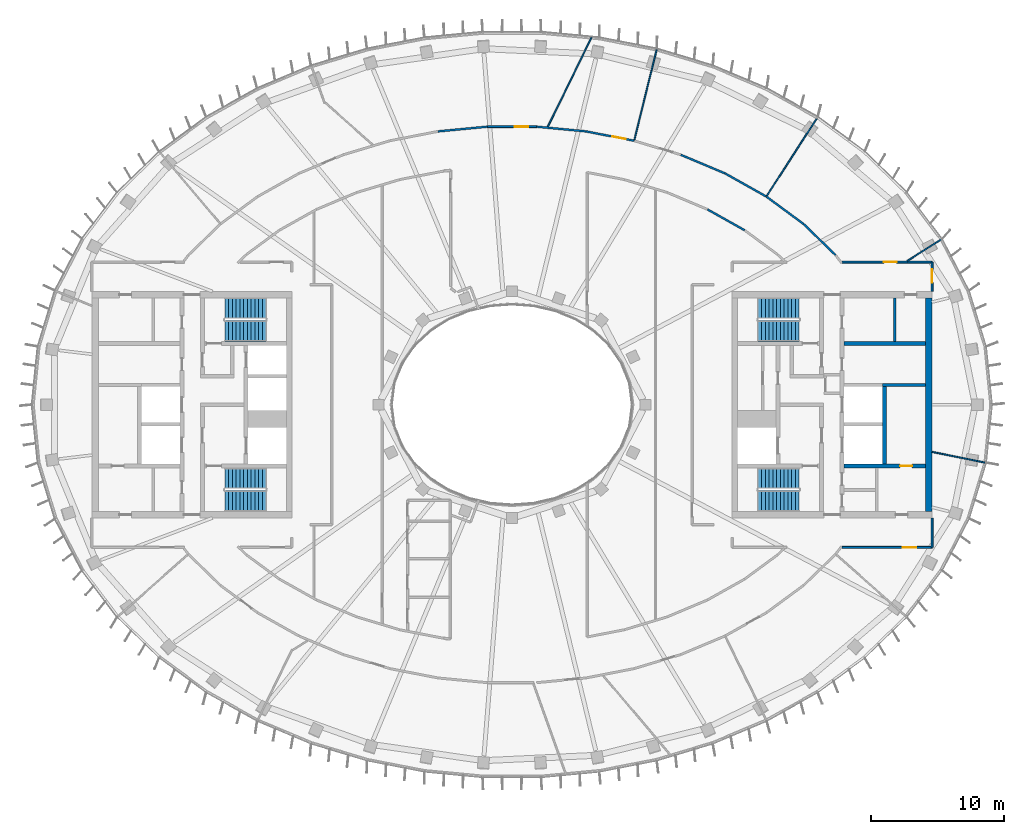
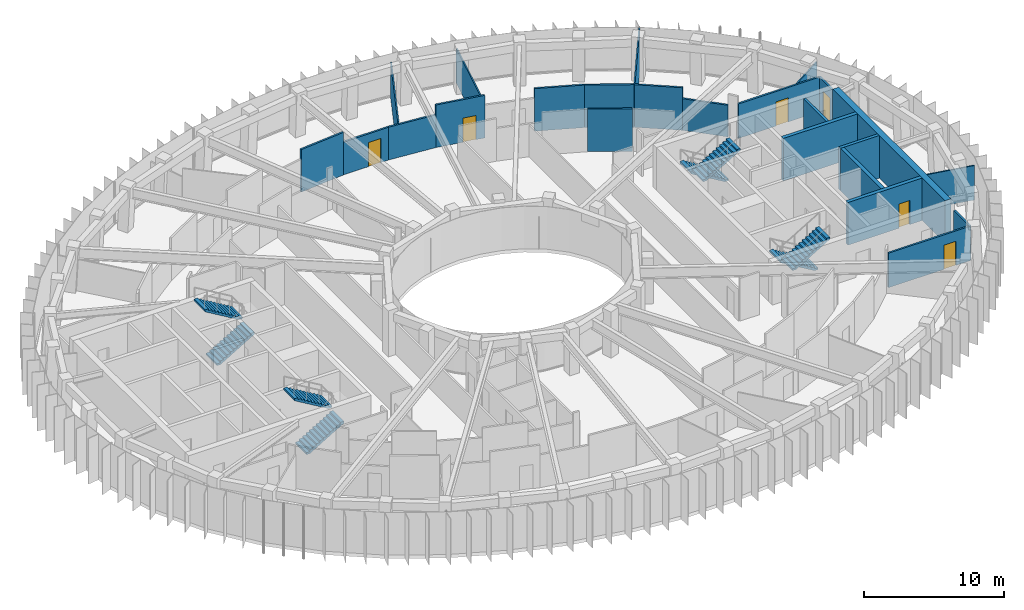
# One storey, part 7 of 13: 24 walls, 8 stair flights, 6 doors, 6 openings, 4 elements without a shape of their own.
"""IFC4 building model written with IfcOpenShell, lengths in metres."""

from ifc_helpers import new_model, si_unit, direction, frame, frame_2d, origin, place, context, subcontext, project, spatial, polyline, rectangle, outline, extrude, material, layer, layer_set, type_object, element, fill, aggregate, save


model = new_model("IFC4")

# Units and contexts
model_context = context("Model", 3, precision=1e-05, world=origin(), true_north=direction((0.0, 1.0)))
body_context = subcontext(model_context, "Body", "Model", "MODEL_VIEW")
ifc_project = project(units=[si_unit("LENGTHUNIT", "METRE"), si_unit("AREAUNIT", "SQUARE_METRE"), si_unit("VOLUMEUNIT", "CUBIC_METRE"), si_unit("PLANEANGLEUNIT", "RADIAN"), si_unit("MASSUNIT", "GRAM", prefix="KILO")], contexts=[model_context])

# Site, building, storey
site_placement = place(None, origin())
site = spatial("IfcSite", under=ifc_project, at=site_placement, CompositionType="ELEMENT")
building_placement = place(site_placement, origin())
building = spatial("IfcBuilding", under=site, at=building_placement, Name="Noorbagh Ring Tower", CompositionType="ELEMENT")
storey_placement = place(building_placement, frame((0.0, 0.0, 327.0)))
storey = spatial("IfcBuildingStorey", under=building, at=storey_placement, Name="L71", CompositionType="ELEMENT", Elevation=327.0)

# Walls
ifc_material_1 = material(Name="Gypsum board on steel studs", Category="steel")
ifc_layer_1 = layer(ifc_material_1, 0.199951171875)
ifc_layer_set_1 = layer_set([ifc_layer_1], Name="Gypsum board on steel studs")
wall_type_1 = type_object("IfcWallType", Name="CORE-PARTITION-200", PredefinedType="PARTITIONING", material=ifc_layer_set_1)
wall_1_placement = place(storey_placement, frame((28.699951171875, 4.75, 0.0), z_axis=(0.0, 0.0, 1.0), x_axis=(0.0, 1.0, 0.0)))
element("IfcWall", 1, at=wall_1_placement, inside=storey, type_object=wall_type_1, Name="Core partition E", PredefinedType="PARTITIONING", context=body_context, shape_type="SweptSolid", body=[
    extrude(rectangle(XDim=3.25, YDim=0.199951171875, at=frame_2d((1.625, 0.0))), origin(), (0.0, 0.0, 1.0), 3.699951171875),
])
ifc_material_2 = material(Name="Concrete C50/60", Category="concrete")
ifc_layer_2 = layer(ifc_material_2, 0.25)
ifc_layer_set_2 = layer_set([ifc_layer_2], Name="Concrete C50/60")
wall_type_2 = type_object("IfcWallType", Name="CORE-WALL-250-C50-60-EI120", PredefinedType="SHEAR", material=ifc_layer_set_2)
wall_2_placement = place(storey_placement, frame((27.800048828125, 1.47509765625, 0.0), z_axis=(0.0, 0.0, 1.0), x_axis=(1.0, 0.0, 0.0)))
element("IfcWall", 2, at=wall_2_placement, inside=storey, type_object=wall_type_2, Name="Core wall E", PredefinedType="SHEAR", context=body_context, shape_type="SweptSolid", body=[
    extrude(rectangle(XDim=3.199951171875, YDim=0.25, at=frame_2d((1.60009765625, 0.0))), origin(), (0.0, 0.0, 1.0), 3.699951171875),
])
ifc_material_3 = material(Name="Concrete C50/60", Category="concrete")
ifc_layer_3 = layer(ifc_material_3, 0.300048828125)
ifc_layer_set_3 = layer_set([ifc_layer_3], Name="Concrete C50/60")
wall_type_3 = type_object("IfcWallType", Name="CORE-WALL-300-C50-60-EI120", PredefinedType="SHEAR", material=ifc_layer_set_3)
wall_3_placement = place(storey_placement, frame((27.949951171875, -4.449951171875, 0.0), z_axis=(0.0, 0.0, 1.0), x_axis=(0.0, 1.0, 0.0)))
element("IfcWall", 3, at=wall_3_placement, inside=storey, type_object=wall_type_3, Name="Core wall E", PredefinedType="SHEAR", context=body_context, shape_type="SweptSolid", body=[
    extrude(rectangle(XDim=5.800048828125, YDim=0.300048828125, at=frame_2d((2.89990234375, 0.0))), origin(), (0.0, 0.0, 1.0), 3.699951171875),
])
ifc_material_4 = material(Name="Concrete C50/60", Category="concrete")
ifc_layer_4 = layer(ifc_material_4, 0.300048828125)
ifc_layer_set_4 = layer_set([ifc_layer_4], Name="Concrete C50/60")
wall_type_4 = type_object("IfcWallType", Name="CORE-WALL-300-C50-60-EI240", PredefinedType="SHEAR", material=ifc_layer_set_4)
wall_4_placement = place(storey_placement, frame((24.89990234375, 4.60009765625, 0.0), z_axis=(0.0, 0.0, 1.0), x_axis=(1.0, 0.0, 0.0)))
element("IfcWall", 4, at=wall_4_placement, inside=storey, type_object=wall_type_4, Name="Core wall E", PredefinedType="SHEAR", context=body_context, shape_type="SweptSolid", body=[
    extrude(rectangle(XDim=6.10009765625, YDim=0.300048828125, at=frame_2d((3.050048828125, 0.0))), origin(), (0.0, 0.0, 1.0), 3.699951171875),
])

# Wall, opening, door
wall_5_placement = place(storey_placement, frame((24.89990234375, -4.60009765625, 0.0), z_axis=(0.0, 0.0, 1.0), x_axis=(1.0, 0.0, 0.0)))
wall_5 = element("IfcWall", 5, at=wall_5_placement, inside=storey, type_object=wall_type_4, Name="Core wall E", PredefinedType="SHEAR", context=body_context, shape_type="SweptSolid", body=[
    extrude(rectangle(XDim=6.10009765625, YDim=0.300048828125, at=frame_2d((3.050048828125, 0.0))), origin(), (0.0, 0.0, 1.0), 3.699951171875),
])
opening_1_placement = place(wall_5_placement, frame((4.199951171875, 0.0, 0.0)))
opening_1 = element("IfcOpeningElement", 6, at=opening_1_placement, cuts=wall_5, Name="Opening L71-CE19", PredefinedType="OPENING", context=body_context, shape_type="SweptSolid", body=[
    extrude(rectangle(XDim=0.89990234375, YDim=2.10009765625, at=frame_2d((0.449951171875, 1.050048828125))), frame((0.0, 0.16015625, 0.0), z_axis=(0.0, -1.0, 0.0), x_axis=(1.0, 0.0, 0.0)), (0.0, 0.0, 1.0), 0.320068359375),
])
ifc_material_5 = material(Name="Steel door leaf", Category="steel")
door_type_1 = type_object("IfcDoorType", Name="CORE-DOOR-DROOM", OperationType="SINGLE_SWING_LEFT", PredefinedType="DOOR", material=ifc_material_5)
door_1_placement = place(opening_1_placement, origin())
door_1 = element("IfcDoor", 7, at=door_1_placement, inside=storey, type_object=door_type_1, Name="Core room door L71-CE19", OperationType="SINGLE_SWING_LEFT", OverallHeight=2.10009765625, OverallWidth=0.89990234375, PredefinedType="DOOR", context=body_context, shape_type="SweptSolid", body=[
    extrude(rectangle(XDim=0.89990234375, YDim=2.10009765625, at=frame_2d((0.449951171875, 1.050048828125))), frame((0.0, 0.02490234375, 0.0), z_axis=(0.0, -1.0, 0.0), x_axis=(1.0, 0.0, 0.0)), (0.0, 0.0, 1.0), 0.050048828125),
])
fill(opening_1, door_1)

# Walls
ifc_material_6 = material(Name="Concrete C50/60", Category="concrete")
ifc_layer_5 = layer(ifc_material_6, 0.5)
ifc_layer_set_5 = layer_set([ifc_layer_5], Name="Concrete C50/60")
wall_type_5 = type_object("IfcWallType", Name="CORE-WALL-500-C50-60-EI240", PredefinedType="SHEAR", material=ifc_layer_set_5)
wall_6_placement = place(storey_placement, frame((31.25, -8.0, 0.0), z_axis=(0.0, 0.0, 1.0), x_axis=(0.0, 1.0, 0.0)))
element("IfcWall", 8, at=wall_6_placement, inside=storey, type_object=wall_type_5, Name="Core wall E", PredefinedType="SHEAR", context=body_context, shape_type="SweptSolid", body=[
    extrude(rectangle(XDim=16.0, YDim=0.5, at=frame_2d((8.0, 0.0))), origin(), (0.0, 0.0, 1.0), 3.699951171875),
])
ifc_material_7 = material(Name="Gypsum board on steel studs", Category="steel")
ifc_layer_6 = layer(ifc_material_7, 0.14990234375)
ifc_layer_set_6 = layer_set([ifc_layer_6], Name="Gypsum board on steel studs")
wall_type_6 = type_object("IfcWallType", Name="CORRIDOR PARTITION 150 EI 30", PredefinedType="PARTITIONING", material=ifc_layer_set_6)
wall_7_placement = place(storey_placement, frame((-5.54296875, 20.49609375, 0.0), z_axis=(0.0, 0.0, 1.0), x_axis=(0.995480948187, 0.09496147533, 0.0)))
element("IfcWall", 9, at=wall_7_placement, inside=storey, type_object=wall_type_6, Name="L71/wall/P55", PredefinedType="PARTITIONING", context=body_context, shape_type="SweptSolid", body=[
    extrude(rectangle(XDim=3.704833984375, YDim=0.14990234375, at=frame_2d((1.8525390625, 0.0))), origin(), (0.0, 0.0, 1.0), 3.699951171875),
])

# Wall, opening, door
wall_8_placement = place(storey_placement, frame((-1.85498046875, 20.847900390625, 0.0), z_axis=(0.0, 0.0, 1.0), x_axis=(1.0, 0.0, 0.0)))
wall_8 = element("IfcWall", 10, at=wall_8_placement, inside=storey, type_object=wall_type_6, Name="L71/wall/P66", PredefinedType="PARTITIONING", context=body_context, shape_type="SweptSolid", body=[
    extrude(rectangle(XDim=3.7099609375, YDim=0.14990234375, at=frame_2d((1.85498046875, 0.0))), origin(), (0.0, 0.0, 1.0), 2.85009765625),
])
opening_2_placement = place(wall_8_placement, frame((2.06005859375, 0.0, 0.0)))
opening_2 = element("IfcOpeningElement", 11, at=opening_2_placement, cuts=wall_8, Name="Opening D1", PredefinedType="OPENING", context=body_context, shape_type="SweptSolid", body=[
    extrude(rectangle(XDim=1.0, YDim=2.10009765625, at=frame_2d((0.5, 1.050048828125))), frame((0.0, 0.0849609375, 0.0), z_axis=(0.0, -1.0, 0.0), x_axis=(1.0, 0.0, 0.0)), (0.0, 0.0, 1.0), 0.169921875),
])
ifc_material_8 = material(Name="Timber, painted", Category="wood")
door_type_2 = type_object("IfcDoorType", Name="DOOR 1000 X 2100 FD30", OperationType="SINGLE_SWING_LEFT", PredefinedType="DOOR", material=ifc_material_8)
door_2_placement = place(opening_2_placement, origin())
door_2 = element("IfcDoor", 12, at=door_2_placement, inside=storey, type_object=door_type_2, Name="L71-D11", OperationType="SINGLE_SWING_LEFT", OverallHeight=2.10009765625, OverallWidth=1.0, PredefinedType="DOOR", context=body_context, shape_type="SweptSolid", body=[
    extrude(rectangle(XDim=1.0, YDim=2.10009765625, at=frame_2d((0.5, 1.050048828125))), frame((0.0, 0.02490234375, 0.0), z_axis=(0.0, -1.0, 0.0), x_axis=(1.0, 0.0, 0.0)), (0.0, 0.0, 1.0), 0.050048828125),
])
fill(opening_2, door_2)

# Wall
wall_9_placement = place(storey_placement, frame((1.85498046875, 20.847900390625, 0.0), z_axis=(0.0, 0.0, 1.0), x_axis=(0.995480948187, -0.09496147533, 0.0)))
element("IfcWall", 13, at=wall_9_placement, inside=storey, type_object=wall_type_6, Name="L71/wall/P69", PredefinedType="PARTITIONING", context=body_context, shape_type="SweptSolid", body=[
    extrude(rectangle(XDim=3.704833984375, YDim=0.14990234375, at=frame_2d((1.8525390625, 0.0))), origin(), (0.0, 0.0, 1.0), 2.85009765625),
])

# Wall, opening, door
wall_10_placement = place(storey_placement, frame((5.54296875, 20.49609375, 0.0), z_axis=(0.0, 0.0, 1.0), x_axis=(0.981633657006, -0.19077568879, 0.0)))
wall_10 = element("IfcWall", 14, at=wall_10_placement, inside=storey, type_object=wall_type_6, Name="L71/wall/P72", PredefinedType="PARTITIONING", context=body_context, shape_type="SweptSolid", body=[
    extrude(rectangle(XDim=3.685546875, YDim=0.14990234375, at=frame_2d((1.8427734375, 0.0))), origin(), (0.0, 0.0, 1.0), 3.699951171875),
])
opening_3_placement = place(wall_10_placement, frame((2.03564453125, 0.0, 0.0)))
opening_3 = element("IfcOpeningElement", 15, at=opening_3_placement, cuts=wall_10, Name="Opening D1", PredefinedType="OPENING", context=body_context, shape_type="SweptSolid", body=[
    extrude(rectangle(XDim=1.0, YDim=2.10009765625, at=frame_2d((0.5, 1.050048828125))), frame((0.0, 0.0849609375, 0.0), z_axis=(0.0, -1.0, 0.0), x_axis=(1.0, 0.0, 0.0)), (0.0, 0.0, 1.0), 0.169921875),
])
door_3_placement = place(opening_3_placement, origin())
door_3 = element("IfcDoor", 16, at=door_3_placement, inside=storey, type_object=door_type_2, Name="L71-D13", OperationType="SINGLE_SWING_LEFT", OverallHeight=2.10009765625, OverallWidth=1.0, PredefinedType="DOOR", context=body_context, shape_type="SweptSolid", body=[
    extrude(rectangle(XDim=1.0, YDim=2.10009765625, at=frame_2d((0.5, 1.050048828125))), frame((0.0, 0.02490234375, 0.0), z_axis=(0.0, -1.0, 0.0), x_axis=(1.0, 0.0, 0.0)), (0.0, 0.0, 1.0), 0.050048828125),
])
fill(opening_3, door_3)

# Walls
wall_11_placement = place(storey_placement, frame((12.658935546875, 18.739990234375, 0.0), z_axis=(0.0, 0.0, 1.0), x_axis=(0.921887377252, -0.387457950833, 0.0)))
element("IfcWall", 17, at=wall_11_placement, inside=storey, type_object=wall_type_6, Name="L71/wall/P87", PredefinedType="PARTITIONING", context=body_context, shape_type="SweptSolid", body=[
    extrude(rectangle(XDim=3.60791015625, YDim=0.14990234375, at=frame_2d((1.803955078125, 0.0))), origin(), (0.0, 0.0, 1.0), 3.699951171875),
])
wall_12_placement = place(storey_placement, frame((14.6650390625, 14.64208984375, 0.0), z_axis=(0.0, 0.0, 1.0), x_axis=(0.872072095629, -0.489377420837, 0.0)))
element("IfcWall", 18, at=wall_12_placement, inside=storey, type_object=wall_type_6, Name="L71/wall/P92", PredefinedType="PARTITIONING", context=body_context, shape_type="SweptSolid", body=[
    extrude(rectangle(XDim=3.187744140625, YDim=0.14990234375, at=frame_2d((1.59375, 0.0))), origin(), (0.0, 0.0, 1.0), 3.699951171875),
])
wall_13_placement = place(storey_placement, frame((15.985107421875, 17.342041015625, 0.0), z_axis=(0.0, 0.0, 1.0), x_axis=(0.871912158543, -0.489662320161, 0.0)))
element("IfcWall", 19, at=wall_13_placement, inside=storey, type_object=wall_type_6, Name="L71/wall/P93", PredefinedType="PARTITIONING", context=body_context, shape_type="SweptSolid", body=[
    extrude(rectangle(XDim=3.52294921875, YDim=0.14990234375, at=frame_2d((1.761474609375, 0.0))), origin(), (0.0, 0.0, 1.0), 3.699951171875),
])
wall_14_placement = place(storey_placement, frame((19.091064453125, 15.594970703125, 0.0), z_axis=(0.0, 0.0, 1.0), x_axis=(0.80526257364, -0.592918364949, 0.0)))
element("IfcWall", 20, at=wall_14_placement, inside=storey, type_object=wall_type_6, Name="L71/wall/P104", PredefinedType="PARTITIONING", context=body_context, shape_type="SweptSolid", body=[
    extrude(rectangle(XDim=3.4423828125, YDim=0.14990234375, at=frame_2d((1.72119140625, 0.0))), origin(), (0.0, 0.0, 1.0), 3.699951171875),
])
wall_15_placement = place(storey_placement, frame((21.863037109375, 13.553955078125, 0.0), z_axis=(0.0, 0.0, 1.0), x_axis=(0.71712899883, -0.696940455876, 0.0)))
element("IfcWall", 21, at=wall_15_placement, inside=storey, type_object=wall_type_6, Name="L71/wall/P108", PredefinedType="PARTITIONING", context=body_context, shape_type="SweptSolid", body=[
    extrude(rectangle(XDim=3.36181640625, YDim=0.14990234375, at=frame_2d((1.680908203125, 0.0))), origin(), (0.0, 0.0, 1.0), 2.75),
])

# Wall, opening, door
wall_16_placement = place(storey_placement, frame((24.7548828125, -10.699951171875, 0.0), z_axis=(0.0, 0.0, 1.0), x_axis=(1.0, 0.0, 0.0)))
wall_16 = element("IfcWall", 22, at=wall_16_placement, inside=storey, type_object=wall_type_6, Name="L71/wall/P112", PredefinedType="PARTITIONING", context=body_context, shape_type="SweptSolid", body=[
    extrude(rectangle(XDim=6.7451171875, YDim=0.14990234375, at=frame_2d((3.37255859375, 0.0))), origin(), (0.0, 0.0, 1.0), 3.0),
])
opening_4_placement = place(wall_16_placement, frame((4.555908203125, 0.0, 0.0)))
opening_4 = element("IfcOpeningElement", 23, at=opening_4_placement, cuts=wall_16, Name="Opening D1", PredefinedType="OPENING", context=body_context, shape_type="SweptSolid", body=[
    extrude(rectangle(XDim=1.0, YDim=2.10009765625, at=frame_2d((0.5, 1.050048828125))), frame((0.0, 0.0849609375, 0.0), z_axis=(0.0, -1.0, 0.0), x_axis=(1.0, 0.0, 0.0)), (0.0, 0.0, 1.0), 0.169921875),
])
door_4_placement = place(opening_4_placement, origin())
door_4 = element("IfcDoor", 24, at=door_4_placement, inside=storey, type_object=door_type_2, Name="L71-D18", OperationType="SINGLE_SWING_RIGHT", OverallHeight=2.10009765625, OverallWidth=1.0, PredefinedType="DOOR", context=body_context, shape_type="SweptSolid", body=[
    extrude(rectangle(XDim=1.0, YDim=2.10009765625, at=frame_2d((0.5, 1.050048828125))), frame((0.0, 0.02490234375, 0.0), z_axis=(0.0, -1.0, 0.0), x_axis=(1.0, 0.0, 0.0)), (0.0, 0.0, 1.0), 0.050048828125),
])
fill(opening_4, door_4)

wall_17_placement = place(storey_placement, frame((24.7548828125, 10.699951171875, 0.0), z_axis=(0.0, 0.0, 1.0), x_axis=(1.0, 0.0, 0.0)))
wall_17 = element("IfcWall", 25, at=wall_17_placement, inside=storey, type_object=wall_type_6, Name="L71/wall/P113", PredefinedType="PARTITIONING", context=body_context, shape_type="SweptSolid", body=[
    extrude(rectangle(XDim=6.7451171875, YDim=0.14990234375, at=frame_2d((3.37255859375, 0.0))), origin(), (0.0, 0.0, 1.0), 3.0),
])
opening_5_placement = place(wall_17_placement, frame((3.115966796875, 0.0, 0.0)))
opening_5 = element("IfcOpeningElement", 26, at=opening_5_placement, cuts=wall_17, Name="Opening D1", PredefinedType="OPENING", context=body_context, shape_type="SweptSolid", body=[
    extrude(rectangle(XDim=1.0, YDim=2.10009765625, at=frame_2d((0.5, 1.050048828125))), frame((0.0, 0.0849609375, 0.0), z_axis=(0.0, -1.0, 0.0), x_axis=(1.0, 0.0, 0.0)), (0.0, 0.0, 1.0), 0.169921875),
])
door_5_placement = place(opening_5_placement, origin())
door_5 = element("IfcDoor", 27, at=door_5_placement, inside=storey, type_object=door_type_2, Name="L71-D17", OperationType="SINGLE_SWING_LEFT", OverallHeight=2.10009765625, OverallWidth=1.0, PredefinedType="DOOR", context=body_context, shape_type="SweptSolid", body=[
    extrude(rectangle(XDim=1.0, YDim=2.10009765625, at=frame_2d((0.5, 1.050048828125))), frame((0.0, 0.02490234375, 0.0), z_axis=(0.0, -1.0, 0.0), x_axis=(1.0, 0.0, 0.0)), (0.0, 0.0, 1.0), 0.050048828125),
])
fill(opening_5, door_5)

# Wall
wall_18_placement = place(storey_placement, frame((31.5, -10.699951171875, 0.0), z_axis=(0.0, 0.0, 1.0), x_axis=(0.0, 1.0, 0.0)))
element("IfcWall", 28, at=wall_18_placement, inside=storey, type_object=wall_type_6, Name="L71/wall/P115", PredefinedType="PARTITIONING", context=body_context, shape_type="SweptSolid", body=[
    extrude(rectangle(XDim=2.199951171875, YDim=0.14990234375, at=frame_2d((1.10009765625, 0.0))), origin(), (0.0, 0.0, 1.0), 3.0),
])

# Wall, opening, door
wall_19_placement = place(storey_placement, frame((31.5, 8.5, 0.0), z_axis=(0.0, 0.0, 1.0), x_axis=(0.0, 1.0, 0.0)))
wall_19 = element("IfcWall", 29, at=wall_19_placement, inside=storey, type_object=wall_type_6, Name="L71/wall/P117", PredefinedType="PARTITIONING", context=body_context, shape_type="SweptSolid", body=[
    extrude(rectangle(XDim=2.199951171875, YDim=0.14990234375, at=frame_2d((1.10009765625, 0.0))), origin(), (0.0, 0.0, 1.0), 3.0),
])
opening_6_placement = place(wall_19_placement, frame((0.64990234375, 0.0, 0.0)))
opening_6 = element("IfcOpeningElement", 30, at=opening_6_placement, cuts=wall_19, Name="Opening D1", PredefinedType="OPENING", context=body_context, shape_type="SweptSolid", body=[
    extrude(rectangle(XDim=1.0, YDim=2.10009765625, at=frame_2d((0.5, 1.050048828125))), frame((0.0, 0.0849609375, 0.0), z_axis=(0.0, -1.0, 0.0), x_axis=(1.0, 0.0, 0.0)), (0.0, 0.0, 1.0), 0.169921875),
])
door_6_placement = place(opening_6_placement, origin())
door_6 = element("IfcDoor", 31, at=door_6_placement, inside=storey, type_object=door_type_2, Name="L71-D19", OperationType="SINGLE_SWING_LEFT", OverallHeight=2.10009765625, OverallWidth=1.0, PredefinedType="DOOR", context=body_context, shape_type="SweptSolid", body=[
    extrude(rectangle(XDim=1.0, YDim=2.10009765625, at=frame_2d((0.5, 1.050048828125))), frame((0.0, 0.02490234375, 0.0), z_axis=(0.0, -1.0, 0.0), x_axis=(1.0, 0.0, 0.0)), (0.0, 0.0, 1.0), 0.050048828125),
])
fill(opening_6, door_6)

# Walls
ifc_material_9 = material(Name="Gypsum board on steel studs", Category="steel")
ifc_layer_7 = layer(ifc_material_9, 0.10009765625)
ifc_layer_set_7 = layer_set([ifc_layer_7], Name="Gypsum board on steel studs")
wall_type_7 = type_object("IfcWallType", Name="PARTITION 100 GYPSUM", PredefinedType="PARTITIONING", material=ifc_layer_set_7)
wall_20_placement = place(storey_placement, frame((2.68505859375, 20.843994140625, 0.0), z_axis=(0.0, 0.0, 1.0), x_axis=(0.439240689302, 0.898369421152, 0.0)))
element("IfcWall", 32, at=wall_20_placement, inside=storey, type_object=wall_type_7, Name="L71/wall/P70", PredefinedType="PARTITIONING", context=body_context, shape_type="SweptSolid", body=[
    extrude(rectangle(XDim=7.451416015625, YDim=0.10009765625, at=frame_2d((3.7255859375, 0.0))), origin(), (0.0, 0.0, 1.0), 3.0),
])
wall_21_placement = place(storey_placement, frame((9.162109375, 19.797119140625, 0.0), z_axis=(0.0, 0.0, 1.0), x_axis=(0.239692684434, 0.970848812652, 0.0)))
element("IfcWall", 33, at=wall_21_placement, inside=storey, type_object=wall_type_7, Name="L71/wall/P81", PredefinedType="PARTITIONING", context=body_context, shape_type="SweptSolid", body=[
    extrude(rectangle(XDim=7.054443359375, YDim=0.10009765625, at=frame_2d((3.52734375, 0.0))), origin(), (0.0, 0.0, 1.0), 3.0),
])
wall_22_placement = place(storey_placement, frame((19.076904296875, 15.610107421875, 0.0), z_axis=(0.0, 0.0, 1.0), x_axis=(0.54223713958, 0.840225496197, 0.0)))
element("IfcWall", 34, at=wall_22_placement, inside=storey, type_object=wall_type_7, Name="L71/wall/P103", PredefinedType="PARTITIONING", context=body_context, shape_type="SweptSolid", body=[
    extrude(rectangle(XDim=7.059814453125, YDim=0.10009765625, at=frame_2d((3.52978515625, 0.0))), origin(), (0.0, 0.0, 1.0), 3.699951171875),
])
wall_23_placement = place(storey_placement, frame((29.636962890625, 10.777099609375, 0.0), z_axis=(0.0, 0.0, 1.0), x_axis=(0.844810627195, 0.535065420467, 0.0)))
element("IfcWall", 35, at=wall_23_placement, inside=storey, type_object=wall_type_7, Name="L71/wall/P114", PredefinedType="PARTITIONING", context=body_context, shape_type="SweptSolid", body=[
    extrude(rectangle(XDim=3.0478515625, YDim=0.10009765625, at=frame_2d((1.52392578125, 0.0))), origin(), (0.0, 0.0, 1.0), 3.0),
])
wall_24_placement = place(storey_placement, frame((31.5, -3.5419921875, 0.0), z_axis=(0.0, 0.0, 1.0), x_axis=(0.980357474535, -0.197228857227, 0.0)))
element("IfcWall", 36, at=wall_24_placement, inside=storey, type_object=wall_type_7, Name="L71/wall/P116", PredefinedType="PARTITIONING", context=body_context, shape_type="SweptSolid", body=[
    extrude(rectangle(XDim=4.09228515625, YDim=0.10009765625, at=frame_2d((2.046142578125, 0.0))), origin(), (0.0, 0.0, 1.0), 3.0),
])

# Stair, stair flights
ifc_material_10 = material(Name="Concrete C40/50", Category="concrete")
stair_type = type_object("IfcStairType", Name="CORE-STAIR", PredefinedType="HALF_TURN_STAIR", material=ifc_material_10)
stair_1_placement = place(storey_placement, origin())
stair_1 = element("IfcStair", 37, at=stair_1_placement, inside=storey, type_object=stair_type, Name="L71 Exit stair ST1", PredefinedType="HALF_TURN_STAIR")
ifc_material_11 = material(Name="Concrete C40/50", Category="concrete")
stair_flight_type = type_object("IfcStairFlightType", Name="CORE-STAIR-FLIGHT", PredefinedType="STRAIGHT", material=ifc_material_11)
stair_flight_1_placement = place(storey_placement, frame((-21.530029296875, 5.52490234375, 0.0), z_axis=(0.0, 0.0, 1.0), x_axis=(1.0, 0.0, 0.0)))
stair_flight_1 = element("IfcStairFlight", 38, at=stair_flight_1_placement, type_object=stair_flight_type, Name="ST1 flight 1", NumberOfRisers=12, NumberOfTreads=11, PredefinedType="STRAIGHT", RiserHeight=0.166666667, TreadLength=0.28, context=body_context, shape_type="SweptSolid", body=[
    extrude(outline(polyline([(0.0, 0.0), (0.0, 0.166748046875), (0.280029296875, 0.166748046875), (0.280029296875, 0.333251953125), (0.56005859375, 0.333251953125), (0.56005859375, 0.5), (0.840087890625, 0.5), (0.840087890625, 0.666748046875), (1.1201171875, 0.666748046875), (1.1201171875, 0.833251953125), (1.39990234375, 0.833251953125), (1.39990234375, 1.0), (1.679931640625, 1.0), (1.679931640625, 1.166748046875), (1.9599609375, 1.166748046875), (1.9599609375, 1.333251953125), (2.239990234375, 1.333251953125), (2.239990234375, 1.5), (2.52001953125, 1.5), (2.52001953125, 1.666748046875), (2.800048828125, 1.666748046875), (2.800048828125, 1.833251953125), (3.080078125, 1.833251953125), (3.080078125, 2.0), (3.080078125, 1.658935546875), (0.29296875, 0.0), (0.0, 0.0)])), frame((0.0, 0.77490234375, 0.0), z_axis=(0.0, -1.0, 0.0), x_axis=(1.0, 0.0, 0.0)), (0.0, 0.0, 1.0), 1.550048828125),
])
stair_flight_2_placement = place(storey_placement, frame((-18.449951171875, 7.22509765625, 2.0), z_axis=(0.0, 0.0, 1.0), x_axis=(-1.0, 0.0, 0.0)))
stair_flight_2 = element("IfcStairFlight", 39, at=stair_flight_2_placement, type_object=stair_flight_type, Name="ST1 flight 2", NumberOfRisers=12, NumberOfTreads=11, PredefinedType="STRAIGHT", RiserHeight=0.166666667, TreadLength=0.28, context=body_context, shape_type="SweptSolid", body=[
    extrude(outline(polyline([(0.0, 0.0), (0.0, 0.166748046875), (0.280029296875, 0.166748046875), (0.280029296875, 0.333251953125), (0.56005859375, 0.333251953125), (0.56005859375, 0.5), (0.840087890625, 0.5), (0.840087890625, 0.666748046875), (1.1201171875, 0.666748046875), (1.1201171875, 0.833251953125), (1.39990234375, 0.833251953125), (1.39990234375, 1.0), (1.679931640625, 1.0), (1.679931640625, 1.166748046875), (1.9599609375, 1.166748046875), (1.9599609375, 1.333251953125), (2.239990234375, 1.333251953125), (2.239990234375, 1.5), (2.52001953125, 1.5), (2.52001953125, 1.666748046875), (2.800048828125, 1.666748046875), (2.800048828125, 1.833251953125), (3.080078125, 1.833251953125), (3.080078125, 2.0), (3.080078125, 1.658935546875), (0.29296875, 0.0), (0.0, 0.0)])), frame((0.0, 0.77490234375, 0.0), z_axis=(0.0, -1.0, 0.0), x_axis=(1.0, 0.0, 0.0)), (0.0, 0.0, 1.0), 1.550048828125),
])
aggregate(stair_1, [stair_flight_1, stair_flight_2])

stair_2_placement = place(storey_placement, origin())
stair_2 = element("IfcStair", 40, at=stair_2_placement, inside=storey, type_object=stair_type, Name="L71 Exit stair ST2", PredefinedType="HALF_TURN_STAIR")
stair_flight_3_placement = place(storey_placement, frame((-21.530029296875, -7.22509765625, 0.0), z_axis=(0.0, 0.0, 1.0), x_axis=(1.0, 0.0, 0.0)))
stair_flight_3 = element("IfcStairFlight", 41, at=stair_flight_3_placement, type_object=stair_flight_type, Name="ST2 flight 1", NumberOfRisers=12, NumberOfTreads=11, PredefinedType="STRAIGHT", RiserHeight=0.166666667, TreadLength=0.28, context=body_context, shape_type="SweptSolid", body=[
    extrude(outline(polyline([(0.0, 0.0), (0.0, 0.166748046875), (0.280029296875, 0.166748046875), (0.280029296875, 0.333251953125), (0.56005859375, 0.333251953125), (0.56005859375, 0.5), (0.840087890625, 0.5), (0.840087890625, 0.666748046875), (1.1201171875, 0.666748046875), (1.1201171875, 0.833251953125), (1.39990234375, 0.833251953125), (1.39990234375, 1.0), (1.679931640625, 1.0), (1.679931640625, 1.166748046875), (1.9599609375, 1.166748046875), (1.9599609375, 1.333251953125), (2.239990234375, 1.333251953125), (2.239990234375, 1.5), (2.52001953125, 1.5), (2.52001953125, 1.666748046875), (2.800048828125, 1.666748046875), (2.800048828125, 1.833251953125), (3.080078125, 1.833251953125), (3.080078125, 2.0), (3.080078125, 1.658935546875), (0.29296875, 0.0), (0.0, 0.0)])), frame((0.0, 0.77490234375, 0.0), z_axis=(0.0, -1.0, 0.0), x_axis=(1.0, 0.0, 0.0)), (0.0, 0.0, 1.0), 1.550048828125),
])
stair_flight_4_placement = place(storey_placement, frame((-18.449951171875, -5.52490234375, 2.0), z_axis=(0.0, 0.0, 1.0), x_axis=(-1.0, 0.0, 0.0)))
stair_flight_4 = element("IfcStairFlight", 42, at=stair_flight_4_placement, type_object=stair_flight_type, Name="ST2 flight 2", NumberOfRisers=12, NumberOfTreads=11, PredefinedType="STRAIGHT", RiserHeight=0.166666667, TreadLength=0.28, context=body_context, shape_type="SweptSolid", body=[
    extrude(outline(polyline([(0.0, 0.0), (0.0, 0.166748046875), (0.280029296875, 0.166748046875), (0.280029296875, 0.333251953125), (0.56005859375, 0.333251953125), (0.56005859375, 0.5), (0.840087890625, 0.5), (0.840087890625, 0.666748046875), (1.1201171875, 0.666748046875), (1.1201171875, 0.833251953125), (1.39990234375, 0.833251953125), (1.39990234375, 1.0), (1.679931640625, 1.0), (1.679931640625, 1.166748046875), (1.9599609375, 1.166748046875), (1.9599609375, 1.333251953125), (2.239990234375, 1.333251953125), (2.239990234375, 1.5), (2.52001953125, 1.5), (2.52001953125, 1.666748046875), (2.800048828125, 1.666748046875), (2.800048828125, 1.833251953125), (3.080078125, 1.833251953125), (3.080078125, 2.0), (3.080078125, 1.658935546875), (0.29296875, 0.0), (0.0, 0.0)])), frame((0.0, 0.77490234375, 0.0), z_axis=(0.0, -1.0, 0.0), x_axis=(1.0, 0.0, 0.0)), (0.0, 0.0, 1.0), 1.550048828125),
])
aggregate(stair_2, [stair_flight_3, stair_flight_4])

stair_3_placement = place(storey_placement, origin())
stair_3 = element("IfcStair", 43, at=stair_3_placement, inside=storey, type_object=stair_type, Name="L71 Exit stair ST3", PredefinedType="HALF_TURN_STAIR")
stair_flight_5_placement = place(storey_placement, frame((21.530029296875, 7.22509765625, 0.0), z_axis=(0.0, 0.0, 1.0), x_axis=(-1.0, 0.0, 0.0)))
stair_flight_5 = element("IfcStairFlight", 44, at=stair_flight_5_placement, type_object=stair_flight_type, Name="ST3 flight 1", NumberOfRisers=12, NumberOfTreads=11, PredefinedType="STRAIGHT", RiserHeight=0.166666667, TreadLength=0.28, context=body_context, shape_type="SweptSolid", body=[
    extrude(outline(polyline([(0.0, 0.0), (0.0, 0.166748046875), (0.280029296875, 0.166748046875), (0.280029296875, 0.333251953125), (0.56005859375, 0.333251953125), (0.56005859375, 0.5), (0.840087890625, 0.5), (0.840087890625, 0.666748046875), (1.1201171875, 0.666748046875), (1.1201171875, 0.833251953125), (1.39990234375, 0.833251953125), (1.39990234375, 1.0), (1.679931640625, 1.0), (1.679931640625, 1.166748046875), (1.9599609375, 1.166748046875), (1.9599609375, 1.333251953125), (2.239990234375, 1.333251953125), (2.239990234375, 1.5), (2.52001953125, 1.5), (2.52001953125, 1.666748046875), (2.800048828125, 1.666748046875), (2.800048828125, 1.833251953125), (3.080078125, 1.833251953125), (3.080078125, 2.0), (3.080078125, 1.658935546875), (0.29296875, 0.0), (0.0, 0.0)])), frame((0.0, 0.77490234375, 0.0), z_axis=(0.0, -1.0, 0.0), x_axis=(1.0, 0.0, 0.0)), (0.0, 0.0, 1.0), 1.550048828125),
])
stair_flight_6_placement = place(storey_placement, frame((18.449951171875, 5.52490234375, 2.0), z_axis=(0.0, 0.0, 1.0), x_axis=(1.0, 0.0, 0.0)))
stair_flight_6 = element("IfcStairFlight", 45, at=stair_flight_6_placement, type_object=stair_flight_type, Name="ST3 flight 2", NumberOfRisers=12, NumberOfTreads=11, PredefinedType="STRAIGHT", RiserHeight=0.166666667, TreadLength=0.28, context=body_context, shape_type="SweptSolid", body=[
    extrude(outline(polyline([(0.0, 0.0), (0.0, 0.166748046875), (0.280029296875, 0.166748046875), (0.280029296875, 0.333251953125), (0.56005859375, 0.333251953125), (0.56005859375, 0.5), (0.840087890625, 0.5), (0.840087890625, 0.666748046875), (1.1201171875, 0.666748046875), (1.1201171875, 0.833251953125), (1.39990234375, 0.833251953125), (1.39990234375, 1.0), (1.679931640625, 1.0), (1.679931640625, 1.166748046875), (1.9599609375, 1.166748046875), (1.9599609375, 1.333251953125), (2.239990234375, 1.333251953125), (2.239990234375, 1.5), (2.52001953125, 1.5), (2.52001953125, 1.666748046875), (2.800048828125, 1.666748046875), (2.800048828125, 1.833251953125), (3.080078125, 1.833251953125), (3.080078125, 2.0), (3.080078125, 1.658935546875), (0.29296875, 0.0), (0.0, 0.0)])), frame((0.0, 0.77490234375, 0.0), z_axis=(0.0, -1.0, 0.0), x_axis=(1.0, 0.0, 0.0)), (0.0, 0.0, 1.0), 1.550048828125),
])
aggregate(stair_3, [stair_flight_5, stair_flight_6])

stair_4_placement = place(storey_placement, origin())
stair_4 = element("IfcStair", 46, at=stair_4_placement, inside=storey, type_object=stair_type, Name="L71 Exit stair ST4", PredefinedType="HALF_TURN_STAIR")
stair_flight_7_placement = place(storey_placement, frame((21.530029296875, -5.52490234375, 0.0), z_axis=(0.0, 0.0, 1.0), x_axis=(-1.0, 0.0, 0.0)))
stair_flight_7 = element("IfcStairFlight", 47, at=stair_flight_7_placement, type_object=stair_flight_type, Name="ST4 flight 1", NumberOfRisers=12, NumberOfTreads=11, PredefinedType="STRAIGHT", RiserHeight=0.166666667, TreadLength=0.28, context=body_context, shape_type="SweptSolid", body=[
    extrude(outline(polyline([(0.0, 0.0), (0.0, 0.166748046875), (0.280029296875, 0.166748046875), (0.280029296875, 0.333251953125), (0.56005859375, 0.333251953125), (0.56005859375, 0.5), (0.840087890625, 0.5), (0.840087890625, 0.666748046875), (1.1201171875, 0.666748046875), (1.1201171875, 0.833251953125), (1.39990234375, 0.833251953125), (1.39990234375, 1.0), (1.679931640625, 1.0), (1.679931640625, 1.166748046875), (1.9599609375, 1.166748046875), (1.9599609375, 1.333251953125), (2.239990234375, 1.333251953125), (2.239990234375, 1.5), (2.52001953125, 1.5), (2.52001953125, 1.666748046875), (2.800048828125, 1.666748046875), (2.800048828125, 1.833251953125), (3.080078125, 1.833251953125), (3.080078125, 2.0), (3.080078125, 1.658935546875), (0.29296875, 0.0), (0.0, 0.0)])), frame((0.0, 0.77490234375, 0.0), z_axis=(0.0, -1.0, 0.0), x_axis=(1.0, 0.0, 0.0)), (0.0, 0.0, 1.0), 1.550048828125),
])
stair_flight_8_placement = place(storey_placement, frame((18.449951171875, -7.22509765625, 2.0), z_axis=(0.0, 0.0, 1.0), x_axis=(1.0, 0.0, 0.0)))
stair_flight_8 = element("IfcStairFlight", 48, at=stair_flight_8_placement, type_object=stair_flight_type, Name="ST4 flight 2", NumberOfRisers=12, NumberOfTreads=11, PredefinedType="STRAIGHT", RiserHeight=0.166666667, TreadLength=0.28, context=body_context, shape_type="SweptSolid", body=[
    extrude(outline(polyline([(0.0, 0.0), (0.0, 0.166748046875), (0.280029296875, 0.166748046875), (0.280029296875, 0.333251953125), (0.56005859375, 0.333251953125), (0.56005859375, 0.5), (0.840087890625, 0.5), (0.840087890625, 0.666748046875), (1.1201171875, 0.666748046875), (1.1201171875, 0.833251953125), (1.39990234375, 0.833251953125), (1.39990234375, 1.0), (1.679931640625, 1.0), (1.679931640625, 1.166748046875), (1.9599609375, 1.166748046875), (1.9599609375, 1.333251953125), (2.239990234375, 1.333251953125), (2.239990234375, 1.5), (2.52001953125, 1.5), (2.52001953125, 1.666748046875), (2.800048828125, 1.666748046875), (2.800048828125, 1.833251953125), (3.080078125, 1.833251953125), (3.080078125, 2.0), (3.080078125, 1.658935546875), (0.29296875, 0.0), (0.0, 0.0)])), frame((0.0, 0.77490234375, 0.0), z_axis=(0.0, -1.0, 0.0), x_axis=(1.0, 0.0, 0.0)), (0.0, 0.0, 1.0), 1.550048828125),
])
aggregate(stair_4, [stair_flight_7, stair_flight_8])

save(model, "model.ifc")
